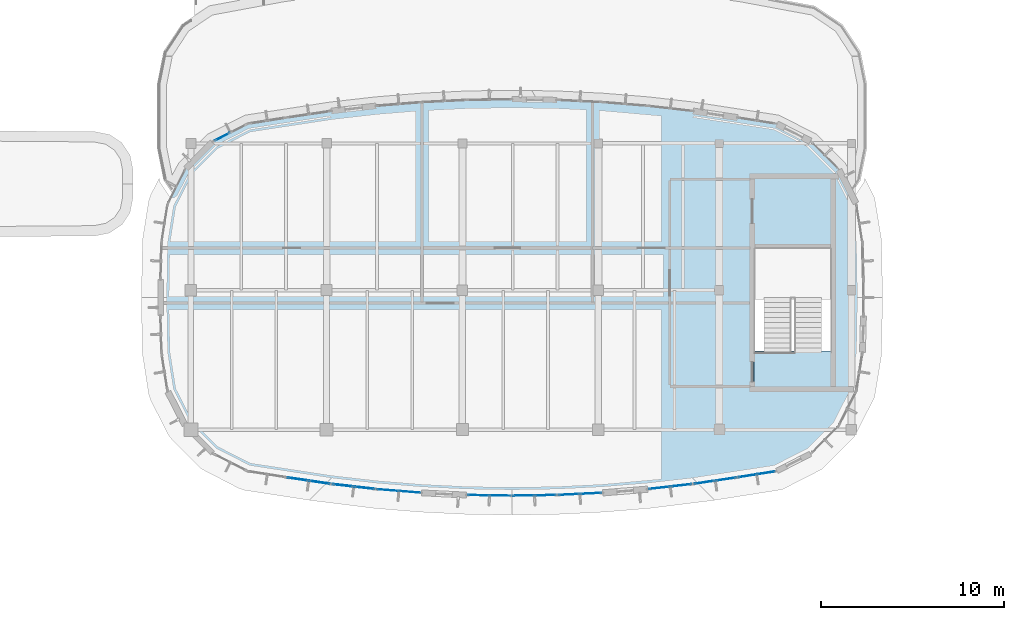
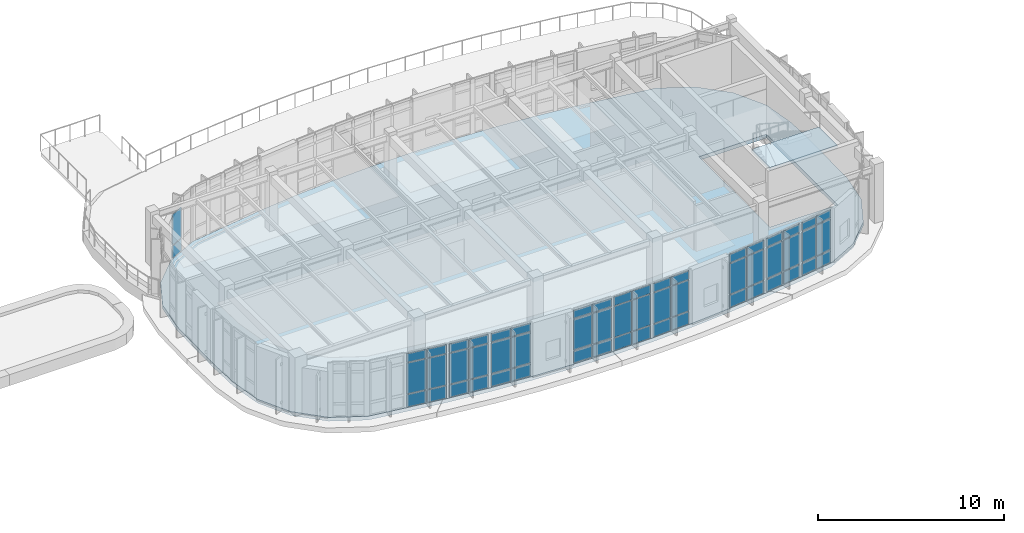
# One storey, part 67 of 111: 56 plates, 2 slabs, 11 elements without a shape of their own.
"""IFC4 building model written with IfcOpenShell, lengths in metres."""

from ifc_helpers import new_model, si_unit, direction, frame, origin, origin_2d, place, context, subcontext, project, spatial, polyline, rectangle, outline, extrude, material, layer, layer_set, type_object, element, aggregate, save


model = new_model("IFC4")

# Units and contexts
model_context = context("Model", 3, precision=1e-05, world=origin(), true_north=direction((0.0, 1.0)))
body_context = subcontext(model_context, "Body", "Model", "MODEL_VIEW")
ifc_project = project(units=[si_unit("LENGTHUNIT", "METRE"), si_unit("AREAUNIT", "SQUARE_METRE"), si_unit("VOLUMEUNIT", "CUBIC_METRE"), si_unit("PLANEANGLEUNIT", "RADIAN"), si_unit("MASSUNIT", "GRAM", prefix="KILO")], contexts=[model_context])

# Site, building, storey
site_placement = place(None, origin())
site = spatial("IfcSite", under=ifc_project, at=site_placement, CompositionType="ELEMENT")
building_placement = place(site_placement, origin())
building = spatial("IfcBuilding", under=site, at=building_placement, Name="Corveleigh Park Community Centre", CompositionType="ELEMENT")
storey_placement = place(building_placement, frame((0.0, 0.0, 4.800048828125)))
storey = spatial("IfcBuildingStorey", under=building, at=storey_placement, Name="L01", CompositionType="ELEMENT", Elevation=4.800048828125)

# Curtain wall, plates
ifc_material_1 = material(Name="Anodised aluminium 6063-T6", Category="aluminium")
curtain_wall_type = type_object("IfcCurtainWallType", Name="CW-SYS-V3-UPP", PredefinedType="NOTDEFINED", material=ifc_material_1)
curtain_wall_1_placement = place(storey_placement, origin())
curtain_wall_1 = element("IfcCurtainWall", 1, at=curtain_wall_1_placement, inside=storey, type_object=curtain_wall_type, Name="V3 L01 Curtain Wall 229", PredefinedType="NOTDEFINED")
ifc_material_2 = material(Name="Low-E double glazing", Category="glass")
ifc_layer_1 = layer(ifc_material_2, 0.02392578125, Name="Low-E double glazing", Category="glass")
ifc_layer_set_1 = layer_set([ifc_layer_1], Name="Low-E double glazing")
plate_type_1 = type_object("IfcPlateType", Name="CWP-GLZ-24", PredefinedType="CURTAIN_PANEL", material=ifc_layer_set_1)
plate_1_placement = place(storey_placement, frame((83.9267578125, 7.80908203125, 0.074951171875), z_axis=(0.0, 0.0, 1.0), x_axis=(-0.996704151507, 0.081122341986, 0.0)))
plate_1 = element("IfcPlate", 2, at=plate_1_placement, type_object=plate_type_1, Name="CW06 panel 1.1", PredefinedType="CURTAIN_PANEL", context=body_context, shape_type="SweptSolid", body=[
    extrude(rectangle(XDim=1.136474609375, YDim=0.02392578125, at=origin_2d()), origin(), (0.0, 0.0, 1.0), 0.78759765625),
])
plate_2_placement = place(storey_placement, frame((83.9267578125, 7.80908203125, 0.9375), z_axis=(0.0, 0.0, 1.0), x_axis=(-0.996704151507, 0.081122341986, 0.0)))
plate_2 = element("IfcPlate", 3, at=plate_2_placement, type_object=plate_type_1, Name="CW06 panel 1.2", PredefinedType="CURTAIN_PANEL", context=body_context, shape_type="SweptSolid", body=[
    extrude(rectangle(XDim=1.136474609375, YDim=0.02392578125, at=origin_2d()), origin(), (0.0, 0.0, 1.0), 1.9951171875),
])
plate_3_placement = place(storey_placement, frame((83.9267578125, 7.80908203125, 3.00732421875), z_axis=(0.0, 0.0, 1.0), x_axis=(-0.996704151507, 0.081122341986, 0.0)))
plate_3 = element("IfcPlate", 4, at=plate_3_placement, type_object=plate_type_1, Name="CW06 panel 1.3", PredefinedType="CURTAIN_PANEL", context=body_context, shape_type="SweptSolid", body=[
    extrude(rectangle(XDim=1.136474609375, YDim=0.02392578125, at=origin_2d()), origin(), (0.0, 0.0, 1.0), 0.53759765625),
])
plate_4_placement = place(storey_placement, frame((82.734130859375, 7.906005859375, 0.074951171875), z_axis=(0.0, 0.0, 1.0), x_axis=(-0.996704151507, 0.081122341986, 0.0)))
plate_4 = element("IfcPlate", 5, at=plate_4_placement, type_object=plate_type_1, Name="CW06 panel 2.1", PredefinedType="CURTAIN_PANEL", context=body_context, shape_type="SweptSolid", body=[
    extrude(rectangle(XDim=1.136474609375, YDim=0.02392578125, at=origin_2d()), origin(), (0.0, 0.0, 1.0), 0.78759765625),
])
plate_5_placement = place(storey_placement, frame((82.734130859375, 7.906005859375, 0.9375), z_axis=(0.0, 0.0, 1.0), x_axis=(-0.996704151507, 0.081122341986, 0.0)))
plate_5 = element("IfcPlate", 6, at=plate_5_placement, type_object=plate_type_1, Name="CW06 panel 2.2", PredefinedType="CURTAIN_PANEL", context=body_context, shape_type="SweptSolid", body=[
    extrude(rectangle(XDim=1.136474609375, YDim=0.02392578125, at=origin_2d()), origin(), (0.0, 0.0, 1.0), 1.9951171875),
])
plate_6_placement = place(storey_placement, frame((82.734130859375, 7.906005859375, 3.00732421875), z_axis=(0.0, 0.0, 1.0), x_axis=(-0.996704151507, 0.081122341986, 0.0)))
plate_6 = element("IfcPlate", 7, at=plate_6_placement, type_object=plate_type_1, Name="CW06 panel 2.3", PredefinedType="CURTAIN_PANEL", context=body_context, shape_type="SweptSolid", body=[
    extrude(rectangle(XDim=1.136474609375, YDim=0.02392578125, at=origin_2d()), origin(), (0.0, 0.0, 1.0), 0.53759765625),
])
aggregate(curtain_wall_1, [plate_1, plate_2, plate_3, plate_4, plate_5, plate_6])

curtain_wall_2_placement = place(storey_placement, origin())
curtain_wall_2 = element("IfcCurtainWall", 8, at=curtain_wall_2_placement, inside=storey, type_object=curtain_wall_type, Name="V3 L01 Curtain Wall 230", PredefinedType="NOTDEFINED")
plate_7_placement = place(storey_placement, frame((88.86181640625, 7.607177734375, 0.080078125), z_axis=(0.0, 0.0, 1.0), x_axis=(-0.999866966081, 0.016311043488, 0.0)))
plate_7 = element("IfcPlate", 9, at=plate_7_placement, type_object=plate_type_1, Name="CW06 panel 1.1", PredefinedType="CURTAIN_PANEL", context=body_context, shape_type="SweptSolid", body=[
    extrude(rectangle(XDim=1.128662109375, YDim=0.02392578125, at=origin_2d()), origin(), (0.0, 0.0, 1.0), 0.780029296875),
])
plate_8_placement = place(storey_placement, frame((88.86181640625, 7.607177734375, 0.93994140625), z_axis=(0.0, 0.0, 1.0), x_axis=(-0.999866966081, 0.016311043488, 0.0)))
plate_8 = element("IfcPlate", 10, at=plate_8_placement, type_object=plate_type_1, Name="CW06 panel 1.2", PredefinedType="CURTAIN_PANEL", context=body_context, shape_type="SweptSolid", body=[
    extrude(rectangle(XDim=1.128662109375, YDim=0.02392578125, at=origin_2d()), origin(), (0.0, 0.0, 1.0), 1.989990234375),
])
plate_9_placement = place(storey_placement, frame((88.86181640625, 7.607177734375, 3.009765625), z_axis=(0.0, 0.0, 1.0), x_axis=(-0.999866966081, 0.016311043488, 0.0)))
plate_9 = element("IfcPlate", 11, at=plate_9_placement, type_object=plate_type_1, Name="CW06 panel 1.3", PredefinedType="CURTAIN_PANEL", context=body_context, shape_type="SweptSolid", body=[
    extrude(rectangle(XDim=1.128662109375, YDim=0.02392578125, at=origin_2d()), origin(), (0.0, 0.0, 1.0), 0.530029296875),
])
plate_10_placement = place(storey_placement, frame((87.668212890625, 7.626708984375, 0.080078125), z_axis=(0.0, 0.0, 1.0), x_axis=(-0.999866966081, 0.016311043488, 0.0)))
plate_10 = element("IfcPlate", 12, at=plate_10_placement, type_object=plate_type_1, Name="CW06 panel 2.1", PredefinedType="CURTAIN_PANEL", context=body_context, shape_type="SweptSolid", body=[
    extrude(rectangle(XDim=1.128662109375, YDim=0.02392578125, at=origin_2d()), origin(), (0.0, 0.0, 1.0), 0.780029296875),
])
plate_11_placement = place(storey_placement, frame((87.668212890625, 7.626708984375, 0.93994140625), z_axis=(0.0, 0.0, 1.0), x_axis=(-0.999866966081, 0.016311043488, 0.0)))
plate_11 = element("IfcPlate", 13, at=plate_11_placement, type_object=plate_type_1, Name="CW06 panel 2.2", PredefinedType="CURTAIN_PANEL", context=body_context, shape_type="SweptSolid", body=[
    extrude(rectangle(XDim=1.128662109375, YDim=0.02392578125, at=origin_2d()), origin(), (0.0, 0.0, 1.0), 1.989990234375),
])
plate_12_placement = place(storey_placement, frame((87.668212890625, 7.626708984375, 3.009765625), z_axis=(0.0, 0.0, 1.0), x_axis=(-0.999866966081, 0.016311043488, 0.0)))
plate_12 = element("IfcPlate", 14, at=plate_12_placement, type_object=plate_type_1, Name="CW06 panel 2.3", PredefinedType="CURTAIN_PANEL", context=body_context, shape_type="SweptSolid", body=[
    extrude(rectangle(XDim=1.128662109375, YDim=0.02392578125, at=origin_2d()), origin(), (0.0, 0.0, 1.0), 0.530029296875),
])
aggregate(curtain_wall_2, [plate_7, plate_8, plate_9, plate_10, plate_11, plate_12])

curtain_wall_3_placement = place(storey_placement, origin())
curtain_wall_3 = element("IfcCurtainWall", 15, at=curtain_wall_3_placement, inside=storey, type_object=curtain_wall_type, Name="V3 L01 Curtain Wall 231", PredefinedType="NOTDEFINED")
ifc_layer_2 = layer(ifc_material_2, 0.028076171875, Name="Low-E double glazing", Category="glass")
ifc_layer_set_2 = layer_set([ifc_layer_2], Name="Low-E double glazing")
plate_type_2 = type_object("IfcPlateType", Name="CWP-GLZ-28", PredefinedType="CURTAIN_PANEL", material=ifc_layer_set_2)
plate_13_placement = place(storey_placement, frame((91.33056640625, 7.626708984375, 0.059814453125), z_axis=(0.0, 0.0, 1.0), x_axis=(-0.999866966081, -0.016311043488, 0.0)))
plate_13 = element("IfcPlate", 16, at=plate_13_placement, type_object=plate_type_2, Name="CW06 panel 1.1", PredefinedType="CURTAIN_PANEL", context=body_context, shape_type="SweptSolid", body=[
    extrude(rectangle(XDim=1.12109375, YDim=0.028076171875, at=origin_2d()), origin(), (0.0, 0.0, 1.0), 0.81005859375),
])
plate_14_placement = place(storey_placement, frame((91.33056640625, 7.626708984375, 0.93017578125), z_axis=(0.0, 0.0, 1.0), x_axis=(-0.999866966081, -0.016311043488, 0.0)))
plate_14 = element("IfcPlate", 17, at=plate_14_placement, type_object=plate_type_2, Name="CW06 panel 1.2", PredefinedType="CURTAIN_PANEL", context=body_context, shape_type="SweptSolid", body=[
    extrude(rectangle(XDim=1.12109375, YDim=0.028076171875, at=origin_2d()), origin(), (0.0, 0.0, 1.0), 2.010009765625),
])
plate_15_placement = place(storey_placement, frame((91.33056640625, 7.626708984375, 3.0), z_axis=(0.0, 0.0, 1.0), x_axis=(-0.999866966081, -0.016311043488, 0.0)))
plate_15 = element("IfcPlate", 18, at=plate_15_placement, type_object=plate_type_2, Name="CW06 panel 1.3", PredefinedType="CURTAIN_PANEL", context=body_context, shape_type="SweptSolid", body=[
    extrude(rectangle(XDim=1.12109375, YDim=0.028076171875, at=origin_2d()), origin(), (0.0, 0.0, 1.0), 0.56005859375),
])
plate_16_placement = place(storey_placement, frame((90.139404296875, 7.607177734375, 0.059814453125), z_axis=(0.0, 0.0, 1.0), x_axis=(-0.999866966081, -0.016311043488, 0.0)))
plate_16 = element("IfcPlate", 19, at=plate_16_placement, type_object=plate_type_2, Name="CW06 panel 2.1", PredefinedType="CURTAIN_PANEL", context=body_context, shape_type="SweptSolid", body=[
    extrude(rectangle(XDim=1.12109375, YDim=0.028076171875, at=origin_2d()), origin(), (0.0, 0.0, 1.0), 0.81005859375),
])
plate_17_placement = place(storey_placement, frame((90.139404296875, 7.607177734375, 0.93017578125), z_axis=(0.0, 0.0, 1.0), x_axis=(-0.999866966081, -0.016311043488, 0.0)))
plate_17 = element("IfcPlate", 20, at=plate_17_placement, type_object=plate_type_2, Name="CW06 panel 2.2", PredefinedType="CURTAIN_PANEL", context=body_context, shape_type="SweptSolid", body=[
    extrude(rectangle(XDim=1.12109375, YDim=0.028076171875, at=origin_2d()), origin(), (0.0, 0.0, 1.0), 2.010009765625),
])
plate_18_placement = place(storey_placement, frame((90.139404296875, 7.607177734375, 3.0), z_axis=(0.0, 0.0, 1.0), x_axis=(-0.999866966081, -0.016311043488, 0.0)))
plate_18 = element("IfcPlate", 21, at=plate_18_placement, type_object=plate_type_2, Name="CW06 panel 2.3", PredefinedType="CURTAIN_PANEL", context=body_context, shape_type="SweptSolid", body=[
    extrude(rectangle(XDim=1.12109375, YDim=0.028076171875, at=origin_2d()), origin(), (0.0, 0.0, 1.0), 0.56005859375),
])
aggregate(curtain_wall_3, [plate_13, plate_14, plate_15, plate_16, plate_17, plate_18])

curtain_wall_4_placement = place(storey_placement, origin())
curtain_wall_4 = element("IfcCurtainWall", 22, at=curtain_wall_4_placement, inside=storey, type_object=curtain_wall_type, Name="V3 L01 Curtain Wall 232", PredefinedType="NOTDEFINED")
plate_19_placement = place(storey_placement, frame((93.7978515625, 7.72607421875, 0.06494140625), z_axis=(0.0, 0.0, 1.0), x_axis=(-0.998802653687, -0.048920946301, 0.0)))
plate_19 = element("IfcPlate", 23, at=plate_19_placement, type_object=plate_type_2, Name="CW06 panel 1.1", PredefinedType="CURTAIN_PANEL", context=body_context, shape_type="SweptSolid", body=[
    extrude(rectangle(XDim=1.114013671875, YDim=0.028076171875, at=origin_2d()), origin(), (0.0, 0.0, 1.0), 0.802490234375),
])
plate_20_placement = place(storey_placement, frame((93.7978515625, 7.72607421875, 0.9326171875), z_axis=(0.0, 0.0, 1.0), x_axis=(-0.998802653687, -0.048920946301, 0.0)))
plate_20 = element("IfcPlate", 24, at=plate_20_placement, type_object=plate_type_2, Name="CW06 panel 1.2", PredefinedType="CURTAIN_PANEL", context=body_context, shape_type="SweptSolid", body=[
    extrude(rectangle(XDim=1.114013671875, YDim=0.028076171875, at=origin_2d()), origin(), (0.0, 0.0, 1.0), 2.0048828125),
])
plate_21_placement = place(storey_placement, frame((93.7978515625, 7.72607421875, 3.00244140625), z_axis=(0.0, 0.0, 1.0), x_axis=(-0.998802653687, -0.048920946301, 0.0)))
plate_21 = element("IfcPlate", 25, at=plate_21_placement, type_object=plate_type_2, Name="CW06 panel 1.3", PredefinedType="CURTAIN_PANEL", context=body_context, shape_type="SweptSolid", body=[
    extrude(rectangle(XDim=1.114013671875, YDim=0.028076171875, at=origin_2d()), origin(), (0.0, 0.0, 1.0), 0.552490234375),
])
plate_22_placement = place(storey_placement, frame((92.610107421875, 7.66796875, 0.06494140625), z_axis=(0.0, 0.0, 1.0), x_axis=(-0.998802653687, -0.048920946301, 0.0)))
plate_22 = element("IfcPlate", 26, at=plate_22_placement, type_object=plate_type_2, Name="CW06 panel 2.1", PredefinedType="CURTAIN_PANEL", context=body_context, shape_type="SweptSolid", body=[
    extrude(rectangle(XDim=1.114013671875, YDim=0.028076171875, at=origin_2d()), origin(), (0.0, 0.0, 1.0), 0.802490234375),
])
plate_23_placement = place(storey_placement, frame((92.610107421875, 7.66796875, 0.9326171875), z_axis=(0.0, 0.0, 1.0), x_axis=(-0.998802653687, -0.048920946301, 0.0)))
plate_23 = element("IfcPlate", 27, at=plate_23_placement, type_object=plate_type_2, Name="CW06 panel 2.2", PredefinedType="CURTAIN_PANEL", context=body_context, shape_type="SweptSolid", body=[
    extrude(rectangle(XDim=1.114013671875, YDim=0.028076171875, at=origin_2d()), origin(), (0.0, 0.0, 1.0), 2.0048828125),
])
plate_24_placement = place(storey_placement, frame((92.610107421875, 7.66796875, 3.00244140625), z_axis=(0.0, 0.0, 1.0), x_axis=(-0.998802653687, -0.048920946301, 0.0)))
plate_24 = element("IfcPlate", 28, at=plate_24_placement, type_object=plate_type_2, Name="CW06 panel 2.3", PredefinedType="CURTAIN_PANEL", context=body_context, shape_type="SweptSolid", body=[
    extrude(rectangle(XDim=1.114013671875, YDim=0.028076171875, at=origin_2d()), origin(), (0.0, 0.0, 1.0), 0.552490234375),
])
aggregate(curtain_wall_4, [plate_19, plate_20, plate_21, plate_22, plate_23, plate_24])

curtain_wall_5_placement = place(storey_placement, origin())
curtain_wall_5 = element("IfcCurtainWall", 29, at=curtain_wall_5_placement, inside=storey, type_object=curtain_wall_type, Name="V3 L01 Curtain Wall 233", PredefinedType="NOTDEFINED")
ifc_layer_3 = layer(ifc_material_2, 0.031982421875, Name="Low-E double glazing", Category="glass")
ifc_layer_set_3 = layer_set([ifc_layer_3], Name="Low-E double glazing")
plate_type_3 = type_object("IfcPlateType", Name="CWP-GLZ-32", PredefinedType="CURTAIN_PANEL", material=ifc_layer_set_3)
plate_25_placement = place(storey_placement, frame((98.7177734375, 8.166015625, 0.070068359375), z_axis=(0.0, 0.0, 1.0), x_axis=(-0.99351031493, -0.113742050835, 0.0)))
plate_25 = element("IfcPlate", 30, at=plate_25_placement, type_object=plate_type_3, Name="CW06 panel 1.1", PredefinedType="CURTAIN_PANEL", context=body_context, shape_type="SweptSolid", body=[
    extrude(rectangle(XDim=1.1064453125, YDim=0.031982421875, at=origin_2d()), origin(), (0.0, 0.0, 1.0), 0.794921875),
])
plate_26_placement = place(storey_placement, frame((98.7177734375, 8.166015625, 0.93505859375), z_axis=(0.0, 0.0, 1.0), x_axis=(-0.99351031493, -0.113742050835, 0.0)))
plate_26 = element("IfcPlate", 31, at=plate_26_placement, type_object=plate_type_3, Name="CW06 panel 1.2", PredefinedType="CURTAIN_PANEL", context=body_context, shape_type="SweptSolid", body=[
    extrude(rectangle(XDim=1.1064453125, YDim=0.031982421875, at=origin_2d()), origin(), (0.0, 0.0, 1.0), 2.0),
])
plate_27_placement = place(storey_placement, frame((98.7177734375, 8.166015625, 3.0048828125), z_axis=(0.0, 0.0, 1.0), x_axis=(-0.99351031493, -0.113742050835, 0.0)))
plate_27 = element("IfcPlate", 32, at=plate_27_placement, type_object=plate_type_3, Name="CW06 panel 1.3", PredefinedType="CURTAIN_PANEL", context=body_context, shape_type="SweptSolid", body=[
    extrude(rectangle(XDim=1.1064453125, YDim=0.031982421875, at=origin_2d()), origin(), (0.0, 0.0, 1.0), 0.544921875),
])
plate_28_placement = place(storey_placement, frame((97.5390625, 8.031005859375, 0.070068359375), z_axis=(0.0, 0.0, 1.0), x_axis=(-0.99351031493, -0.113742050835, 0.0)))
plate_28 = element("IfcPlate", 33, at=plate_28_placement, type_object=plate_type_3, Name="CW06 panel 2.1", PredefinedType="CURTAIN_PANEL", context=body_context, shape_type="SweptSolid", body=[
    extrude(rectangle(XDim=1.1064453125, YDim=0.031982421875, at=origin_2d()), origin(), (0.0, 0.0, 1.0), 0.794921875),
])
plate_29_placement = place(storey_placement, frame((97.5390625, 8.031005859375, 0.93505859375), z_axis=(0.0, 0.0, 1.0), x_axis=(-0.99351031493, -0.113742050835, 0.0)))
plate_29 = element("IfcPlate", 34, at=plate_29_placement, type_object=plate_type_3, Name="CW06 panel 2.2", PredefinedType="CURTAIN_PANEL", context=body_context, shape_type="SweptSolid", body=[
    extrude(rectangle(XDim=1.1064453125, YDim=0.031982421875, at=origin_2d()), origin(), (0.0, 0.0, 1.0), 2.0),
])
plate_30_placement = place(storey_placement, frame((97.5390625, 8.031005859375, 3.0048828125), z_axis=(0.0, 0.0, 1.0), x_axis=(-0.99351031493, -0.113742050835, 0.0)))
plate_30 = element("IfcPlate", 35, at=plate_30_placement, type_object=plate_type_3, Name="CW06 panel 2.3", PredefinedType="CURTAIN_PANEL", context=body_context, shape_type="SweptSolid", body=[
    extrude(rectangle(XDim=1.1064453125, YDim=0.031982421875, at=origin_2d()), origin(), (0.0, 0.0, 1.0), 0.544921875),
])
aggregate(curtain_wall_5, [plate_25, plate_26, plate_27, plate_28, plate_29, plate_30])

curtain_wall_6_placement = place(storey_placement, origin())
curtain_wall_6 = element("IfcCurtainWall", 36, at=curtain_wall_6_placement, inside=storey, type_object=curtain_wall_type, Name="V3 L01 Curtain Wall 234", PredefinedType="NOTDEFINED")
plate_31_placement = place(storey_placement, frame((101.1650390625, 8.506103515625, 0.074951171875), z_axis=(0.0, 0.0, 1.0), x_axis=(-0.989244986105, -0.146268101327, 0.0)))
plate_31 = element("IfcPlate", 37, at=plate_31_placement, type_object=plate_type_3, Name="CW06 panel 1.1", PredefinedType="CURTAIN_PANEL", context=body_context, shape_type="SweptSolid", body=[
    extrude(rectangle(XDim=1.099609375, YDim=0.031982421875, at=origin_2d()), origin(), (0.0, 0.0, 1.0), 0.78759765625),
])
plate_32_placement = place(storey_placement, frame((101.1650390625, 8.506103515625, 0.9375), z_axis=(0.0, 0.0, 1.0), x_axis=(-0.989244986105, -0.146268101327, 0.0)))
plate_32 = element("IfcPlate", 38, at=plate_32_placement, type_object=plate_type_3, Name="CW06 panel 1.2", PredefinedType="CURTAIN_PANEL", context=body_context, shape_type="SweptSolid", body=[
    extrude(rectangle(XDim=1.099609375, YDim=0.031982421875, at=origin_2d()), origin(), (0.0, 0.0, 1.0), 1.9951171875),
])
plate_33_placement = place(storey_placement, frame((101.1650390625, 8.506103515625, 3.00732421875), z_axis=(0.0, 0.0, 1.0), x_axis=(-0.989244986105, -0.146268101327, 0.0)))
plate_33 = element("IfcPlate", 39, at=plate_33_placement, type_object=plate_type_3, Name="CW06 panel 1.3", PredefinedType="CURTAIN_PANEL", context=body_context, shape_type="SweptSolid", body=[
    extrude(rectangle(XDim=1.099609375, YDim=0.031982421875, at=origin_2d()), origin(), (0.0, 0.0, 1.0), 0.53759765625),
])
plate_34_placement = place(storey_placement, frame((99.992919921875, 8.332763671875, 0.074951171875), z_axis=(0.0, 0.0, 1.0), x_axis=(-0.989244986105, -0.146268101327, 0.0)))
plate_34 = element("IfcPlate", 40, at=plate_34_placement, type_object=plate_type_3, Name="CW06 panel 2.1", PredefinedType="CURTAIN_PANEL", context=body_context, shape_type="SweptSolid", body=[
    extrude(rectangle(XDim=1.099609375, YDim=0.031982421875, at=origin_2d()), origin(), (0.0, 0.0, 1.0), 0.78759765625),
])
plate_35_placement = place(storey_placement, frame((99.992919921875, 8.332763671875, 0.9375), z_axis=(0.0, 0.0, 1.0), x_axis=(-0.989244986105, -0.146268101327, 0.0)))
plate_35 = element("IfcPlate", 41, at=plate_35_placement, type_object=plate_type_3, Name="CW06 panel 2.2", PredefinedType="CURTAIN_PANEL", context=body_context, shape_type="SweptSolid", body=[
    extrude(rectangle(XDim=1.099609375, YDim=0.031982421875, at=origin_2d()), origin(), (0.0, 0.0, 1.0), 1.9951171875),
])
plate_36_placement = place(storey_placement, frame((99.992919921875, 8.332763671875, 3.00732421875), z_axis=(0.0, 0.0, 1.0), x_axis=(-0.989244986105, -0.146268101327, 0.0)))
plate_36 = element("IfcPlate", 42, at=plate_36_placement, type_object=plate_type_3, Name="CW06 panel 2.3", PredefinedType="CURTAIN_PANEL", context=body_context, shape_type="SweptSolid", body=[
    extrude(rectangle(XDim=1.099609375, YDim=0.031982421875, at=origin_2d()), origin(), (0.0, 0.0, 1.0), 0.53759765625),
])
aggregate(curtain_wall_6, [plate_31, plate_32, plate_33, plate_34, plate_35, plate_36])

curtain_wall_7_placement = place(storey_placement, origin())
curtain_wall_7 = element("IfcCurtainWall", 43, at=curtain_wall_7_placement, inside=storey, type_object=curtain_wall_type, Name="V3 L01 Curtain Wall 235", PredefinedType="NOTDEFINED")
ifc_layer_4 = layer(ifc_material_2, 0.035888671875, Name="Low-E double glazing", Category="glass")
ifc_layer_set_4 = layer_set([ifc_layer_4], Name="Low-E double glazing")
plate_type_4 = type_object("IfcPlateType", Name="CWP-GLZ-36", PredefinedType="CURTAIN_PANEL", material=ifc_layer_set_4)
plate_37_placement = place(storey_placement, frame((103.334228515625, 8.84326171875, 0.080078125), z_axis=(0.0, 0.0, 1.0), x_axis=(-0.987661487783, -0.156603912946, 0.0)))
plate_37 = element("IfcPlate", 44, at=plate_37_placement, type_object=plate_type_4, Name="CW06 panel 1.1", PredefinedType="CURTAIN_PANEL", context=body_context, shape_type="SweptSolid", body=[
    extrude(rectangle(XDim=0.950927734375, YDim=0.035888671875, at=origin_2d()), origin(), (0.0, 0.0, 1.0), 0.780029296875),
])
plate_38_placement = place(storey_placement, frame((103.334228515625, 8.84326171875, 0.93994140625), z_axis=(0.0, 0.0, 1.0), x_axis=(-0.987661487783, -0.156603912946, 0.0)))
plate_38 = element("IfcPlate", 45, at=plate_38_placement, type_object=plate_type_4, Name="CW06 panel 1.2", PredefinedType="CURTAIN_PANEL", context=body_context, shape_type="SweptSolid", body=[
    extrude(rectangle(XDim=0.950927734375, YDim=0.035888671875, at=origin_2d()), origin(), (0.0, 0.0, 1.0), 1.989990234375),
])
plate_39_placement = place(storey_placement, frame((103.334228515625, 8.84326171875, 3.009765625), z_axis=(0.0, 0.0, 1.0), x_axis=(-0.987661487783, -0.156603912946, 0.0)))
plate_39 = element("IfcPlate", 46, at=plate_39_placement, type_object=plate_type_4, Name="CW06 panel 1.3", PredefinedType="CURTAIN_PANEL", context=body_context, shape_type="SweptSolid", body=[
    extrude(rectangle(XDim=0.950927734375, YDim=0.035888671875, at=origin_2d()), origin(), (0.0, 0.0, 1.0), 0.530029296875),
])
plate_40_placement = place(storey_placement, frame((102.335693359375, 8.684814453125, 0.080078125), z_axis=(0.0, 0.0, 1.0), x_axis=(-0.987661487783, -0.156603912946, 0.0)))
plate_40 = element("IfcPlate", 47, at=plate_40_placement, type_object=plate_type_4, Name="CW06 panel 2.1", PredefinedType="CURTAIN_PANEL", context=body_context, shape_type="SweptSolid", body=[
    extrude(rectangle(XDim=0.950927734375, YDim=0.035888671875, at=origin_2d()), origin(), (0.0, 0.0, 1.0), 0.780029296875),
])
plate_41_placement = place(storey_placement, frame((102.335693359375, 8.684814453125, 0.93994140625), z_axis=(0.0, 0.0, 1.0), x_axis=(-0.987661487783, -0.156603912946, 0.0)))
plate_41 = element("IfcPlate", 48, at=plate_41_placement, type_object=plate_type_4, Name="CW06 panel 2.2", PredefinedType="CURTAIN_PANEL", context=body_context, shape_type="SweptSolid", body=[
    extrude(rectangle(XDim=0.950927734375, YDim=0.035888671875, at=origin_2d()), origin(), (0.0, 0.0, 1.0), 1.989990234375),
])
plate_42_placement = place(storey_placement, frame((102.335693359375, 8.684814453125, 3.009765625), z_axis=(0.0, 0.0, 1.0), x_axis=(-0.987661487783, -0.156603912946, 0.0)))
plate_42 = element("IfcPlate", 49, at=plate_42_placement, type_object=plate_type_4, Name="CW06 panel 2.3", PredefinedType="CURTAIN_PANEL", context=body_context, shape_type="SweptSolid", body=[
    extrude(rectangle(XDim=0.950927734375, YDim=0.035888671875, at=origin_2d()), origin(), (0.0, 0.0, 1.0), 0.530029296875),
])
aggregate(curtain_wall_7, [plate_37, plate_38, plate_39, plate_40, plate_41, plate_42])

curtain_wall_8_placement = place(storey_placement, origin())
curtain_wall_8 = element("IfcCurtainWall", 50, at=curtain_wall_8_placement, inside=storey, type_object=curtain_wall_type, Name="V3 L01 Curtain Wall 227", PredefinedType="NOTDEFINED")
ifc_layer_5 = layer(ifc_material_2, 0.0439453125, Name="Low-E double glazing", Category="glass")
ifc_layer_set_5 = layer_set([ifc_layer_5], Name="Low-E double glazing")
plate_type_5 = type_object("IfcPlateType", Name="CWP-GLZ-44", PredefinedType="CURTAIN_PANEL", material=ifc_layer_set_5)
plate_43_placement = place(storey_placement, frame((79.00830078125, 8.332763671875, 0.06494140625), z_axis=(0.0, 0.0, 1.0), x_axis=(-0.989244986105, 0.146268101327, 0.0)))
plate_43 = element("IfcPlate", 51, at=plate_43_placement, type_object=plate_type_5, Name="CW06 panel 1.1", PredefinedType="CURTAIN_PANEL", context=body_context, shape_type="SweptSolid", body=[
    extrude(rectangle(XDim=1.107177734375, YDim=0.0439453125, at=origin_2d()), origin(), (0.0, 0.0, 1.0), 0.802490234375),
])
plate_44_placement = place(storey_placement, frame((79.00830078125, 8.332763671875, 0.9326171875), z_axis=(0.0, 0.0, 1.0), x_axis=(-0.989244986105, 0.146268101327, 0.0)))
plate_44 = element("IfcPlate", 52, at=plate_44_placement, type_object=plate_type_5, Name="CW06 panel 1.2", PredefinedType="CURTAIN_PANEL", context=body_context, shape_type="SweptSolid", body=[
    extrude(rectangle(XDim=1.107177734375, YDim=0.0439453125, at=origin_2d()), origin(), (0.0, 0.0, 1.0), 2.0048828125),
])
plate_45_placement = place(storey_placement, frame((79.00830078125, 8.332763671875, 3.00244140625), z_axis=(0.0, 0.0, 1.0), x_axis=(-0.989244986105, 0.146268101327, 0.0)))
plate_45 = element("IfcPlate", 53, at=plate_45_placement, type_object=plate_type_5, Name="CW06 panel 1.3", PredefinedType="CURTAIN_PANEL", context=body_context, shape_type="SweptSolid", body=[
    extrude(rectangle(XDim=1.107177734375, YDim=0.0439453125, at=origin_2d()), origin(), (0.0, 0.0, 1.0), 0.552490234375),
])
plate_46_placement = place(storey_placement, frame((77.833740234375, 8.50634765625, 0.06494140625), z_axis=(0.0, 0.0, 1.0), x_axis=(-0.989244986105, 0.146268101327, 0.0)))
plate_46 = element("IfcPlate", 54, at=plate_46_placement, type_object=plate_type_5, Name="CW06 panel 2.1", PredefinedType="CURTAIN_PANEL", context=body_context, shape_type="SweptSolid", body=[
    extrude(rectangle(XDim=1.107177734375, YDim=0.0439453125, at=origin_2d()), origin(), (0.0, 0.0, 1.0), 0.802490234375),
])
plate_47_placement = place(storey_placement, frame((77.833740234375, 8.50634765625, 0.9326171875), z_axis=(0.0, 0.0, 1.0), x_axis=(-0.989244986105, 0.146268101327, 0.0)))
plate_47 = element("IfcPlate", 55, at=plate_47_placement, type_object=plate_type_5, Name="CW06 panel 2.2", PredefinedType="CURTAIN_PANEL", context=body_context, shape_type="SweptSolid", body=[
    extrude(rectangle(XDim=1.107177734375, YDim=0.0439453125, at=origin_2d()), origin(), (0.0, 0.0, 1.0), 2.0048828125),
])
plate_48_placement = place(storey_placement, frame((77.833740234375, 8.50634765625, 3.00244140625), z_axis=(0.0, 0.0, 1.0), x_axis=(-0.989244986105, 0.146268101327, 0.0)))
plate_48 = element("IfcPlate", 56, at=plate_48_placement, type_object=plate_type_5, Name="CW06 panel 2.3", PredefinedType="CURTAIN_PANEL", context=body_context, shape_type="SweptSolid", body=[
    extrude(rectangle(XDim=1.107177734375, YDim=0.0439453125, at=origin_2d()), origin(), (0.0, 0.0, 1.0), 0.552490234375),
])
aggregate(curtain_wall_8, [plate_43, plate_44, plate_45, plate_46, plate_47, plate_48])

curtain_wall_9_placement = place(storey_placement, origin())
curtain_wall_9 = element("IfcCurtainWall", 57, at=curtain_wall_9_placement, inside=storey, type_object=curtain_wall_type, Name="V3 L01 Curtain Wall 228", PredefinedType="NOTDEFINED")
plate_49_placement = place(storey_placement, frame((81.459716796875, 8.03125, 0.070068359375), z_axis=(0.0, 0.0, 1.0), x_axis=(-0.99351031493, 0.113742050835, 0.0)))
plate_49 = element("IfcPlate", 58, at=plate_49_placement, type_object=plate_type_5, Name="CW06 panel 1.1", PredefinedType="CURTAIN_PANEL", context=body_context, shape_type="SweptSolid", body=[
    extrude(rectangle(XDim=1.098876953125, YDim=0.0439453125, at=origin_2d()), origin(), (0.0, 0.0, 1.0), 0.794921875),
])
plate_50_placement = place(storey_placement, frame((81.459716796875, 8.03125, 0.93505859375), z_axis=(0.0, 0.0, 1.0), x_axis=(-0.99351031493, 0.113742050835, 0.0)))
plate_50 = element("IfcPlate", 59, at=plate_50_placement, type_object=plate_type_5, Name="CW06 panel 1.2", PredefinedType="CURTAIN_PANEL", context=body_context, shape_type="SweptSolid", body=[
    extrude(rectangle(XDim=1.098876953125, YDim=0.0439453125, at=origin_2d()), origin(), (0.0, 0.0, 1.0), 2.0),
])
plate_51_placement = place(storey_placement, frame((81.459716796875, 8.03125, 3.0048828125), z_axis=(0.0, 0.0, 1.0), x_axis=(-0.99351031493, 0.113742050835, 0.0)))
plate_51 = element("IfcPlate", 60, at=plate_51_placement, type_object=plate_type_5, Name="CW06 panel 1.3", PredefinedType="CURTAIN_PANEL", context=body_context, shape_type="SweptSolid", body=[
    extrude(rectangle(XDim=1.098876953125, YDim=0.0439453125, at=origin_2d()), origin(), (0.0, 0.0, 1.0), 0.544921875),
])
plate_52_placement = place(storey_placement, frame((80.283447265625, 8.165771484375, 0.070068359375), z_axis=(0.0, 0.0, 1.0), x_axis=(-0.99351031493, 0.113742050835, 0.0)))
plate_52 = element("IfcPlate", 61, at=plate_52_placement, type_object=plate_type_5, Name="CW06 panel 2.1", PredefinedType="CURTAIN_PANEL", context=body_context, shape_type="SweptSolid", body=[
    extrude(rectangle(XDim=1.098876953125, YDim=0.0439453125, at=origin_2d()), origin(), (0.0, 0.0, 1.0), 0.794921875),
])
plate_53_placement = place(storey_placement, frame((80.283447265625, 8.165771484375, 0.93505859375), z_axis=(0.0, 0.0, 1.0), x_axis=(-0.99351031493, 0.113742050835, 0.0)))
plate_53 = element("IfcPlate", 62, at=plate_53_placement, type_object=plate_type_5, Name="CW06 panel 2.2", PredefinedType="CURTAIN_PANEL", context=body_context, shape_type="SweptSolid", body=[
    extrude(rectangle(XDim=1.098876953125, YDim=0.0439453125, at=origin_2d()), origin(), (0.0, 0.0, 1.0), 2.0),
])
plate_54_placement = place(storey_placement, frame((80.283447265625, 8.165771484375, 3.0048828125), z_axis=(0.0, 0.0, 1.0), x_axis=(-0.99351031493, 0.113742050835, 0.0)))
plate_54 = element("IfcPlate", 63, at=plate_54_placement, type_object=plate_type_5, Name="CW06 panel 2.3", PredefinedType="CURTAIN_PANEL", context=body_context, shape_type="SweptSolid", body=[
    extrude(rectangle(XDim=1.098876953125, YDim=0.0439453125, at=origin_2d()), origin(), (0.0, 0.0, 1.0), 0.544921875),
])
aggregate(curtain_wall_9, [plate_49, plate_50, plate_51, plate_52, plate_53, plate_54])

curtain_wall_10_placement = place(storey_placement, origin())
curtain_wall_10 = element("IfcCurtainWall", 64, at=curtain_wall_10_placement, inside=storey, type_object=curtain_wall_type, Name="V3 L01 Curtain Wall 252", PredefinedType="NOTDEFINED")
plate_55_placement = place(storey_placement, frame((73.712890625, 27.16064453125, 0.06494140625), z_axis=(0.0, 0.0, 1.0), x_axis=(0.890890679418, 0.454217786228, 0.0)))
plate_55 = element("IfcPlate", 65, at=plate_55_placement, type_object=plate_type_5, Name="CW06 panel 1.1", PredefinedType="CURTAIN_PANEL", context=body_context, shape_type="SweptSolid", body=[
    extrude(rectangle(XDim=0.8984375, YDim=0.0439453125, at=origin_2d()), origin(), (0.0, 0.0, 1.0), 0.802490234375),
])
plate_56_placement = place(storey_placement, frame((73.712890625, 27.16064453125, 0.932373046875), z_axis=(0.0, 0.0, 1.0), x_axis=(0.890890679418, 0.454217786228, 0.0)))
plate_56 = element("IfcPlate", 66, at=plate_56_placement, type_object=plate_type_5, Name="CW06 panel 1.2", PredefinedType="CURTAIN_PANEL", context=body_context, shape_type="SweptSolid", body=[
    extrude(rectangle(XDim=0.8984375, YDim=0.0439453125, at=origin_2d()), origin(), (0.0, 0.0, 1.0), 1.9970703125),
])
aggregate(curtain_wall_10, [plate_55, plate_56])

# Slab
ifc_material_3 = material(Name="Concrete C32/40", Category="concrete")
ifc_layer_6 = layer(ifc_material_3, 0.25, Name="Concrete C32/40", Category="concrete")
ifc_layer_set_6 = layer_set([ifc_layer_6], Name="Concrete C32/40")
slab_type_1 = type_object("IfcSlabType", Name="SLB-FLR-250", PredefinedType="FLOOR", material=ifc_layer_set_6)
slab_1_placement = place(storey_placement, frame((0.0, 0.0, -0.25)))
element("IfcSlab", 67, at=slab_1_placement, inside=storey, type_object=slab_type_1, Name="V3 L01 floor slab", PredefinedType="FLOOR", context=body_context, shape_type="SweptSolid", body=[
    extrude(outline(polyline([(75.09912109375, 8.93310546875), (73.202880859375, 9.89892578125), (71.698974609375, 11.403076171875), (70.73291015625, 13.299072265625), (70.39990234375, 15.39990234375), (70.347900390625, 17.39990234375), (70.39990234375, 21.39990234375), (70.73291015625, 23.5009765625), (71.698974609375, 25.39697265625), (73.202880859375, 26.90087890625), (75.09912109375, 27.866943359375), (79.64404296875, 28.56103515625), (82.09912109375, 28.842041015625), (84.56201171875, 29.04296875), (87.030029296875, 29.1630859375), (89.5, 29.202880859375), (91.969970703125, 29.1630859375), (94.43798828125, 29.04296875), (96.90087890625, 28.842041015625), (99.35595703125, 28.56103515625), (103.90087890625, 27.866943359375), (105.797119140625, 26.90087890625), (107.301025390625, 25.39697265625), (108.26708984375, 23.5009765625), (108.60009765625, 21.39990234375), (108.652099609375, 19.39990234375), (108.60009765625, 15.39990234375), (108.26708984375, 13.299072265625), (107.301025390625, 11.403076171875), (105.797119140625, 9.89892578125), (103.90087890625, 8.93310546875), (99.35595703125, 8.239013671875), (96.90087890625, 7.9580078125), (94.43798828125, 7.757080078125), (91.969970703125, 7.636962890625), (89.5, 7.596923828125), (87.030029296875, 7.636962890625), (84.56201171875, 7.757080078125), (82.09912109375, 7.9580078125), (79.64404296875, 8.239013671875), (75.09912109375, 8.93310546875)]), holes=[polyline([(102.696044921875, 21.12890625), (102.696044921875, 13.49609375), (106.904052734375, 13.49609375), (106.904052734375, 21.12890625), (102.696044921875, 21.12890625)])]), origin(), (0.0, 0.0, 1.0), 0.25),
])

# Stair, slab
stair_type = type_object("IfcStairType", Name="STR-HT-1500-390", PredefinedType="USERDEFINED", material=ifc_material_3)
stair_placement = place(storey_placement, origin())
stair = element("IfcStair", 68, at=stair_placement, inside=storey, type_object=stair_type, Name="Protected escape stair ST4 (L01 to L02)", ObjectType="TWO_RETURN_STAIR", PredefinedType="USERDEFINED")
ifc_layer_7 = layer(ifc_material_3, 0.18798828125, Name="Concrete C32/40", Category="concrete")
ifc_layer_set_7 = layer_set([ifc_layer_7], Name="Concrete C32/40")
slab_type_2 = type_object("IfcSlabType", Name="SLB-LND-188", PredefinedType="LANDING", material=ifc_layer_set_7)
slab_2_placement = place(storey_placement, frame((0.0, 0.0, 3.7119140625)))
slab_2 = element("IfcSlab", 69, at=slab_2_placement, type_object=slab_type_2, Name="ST4 upper landing", PredefinedType="LANDING", context=body_context, shape_type="SweptSolid", body=[
    extrude(outline(polyline([(102.701904296875, 13.501953125), (106.89794921875, 13.501953125), (106.89794921875, 15.5), (102.701904296875, 15.5), (102.701904296875, 13.501953125)])), origin(), (0.0, 0.0, 1.0), 0.18798828125),
])
aggregate(stair, [slab_2])

save(model, "model.ifc")
